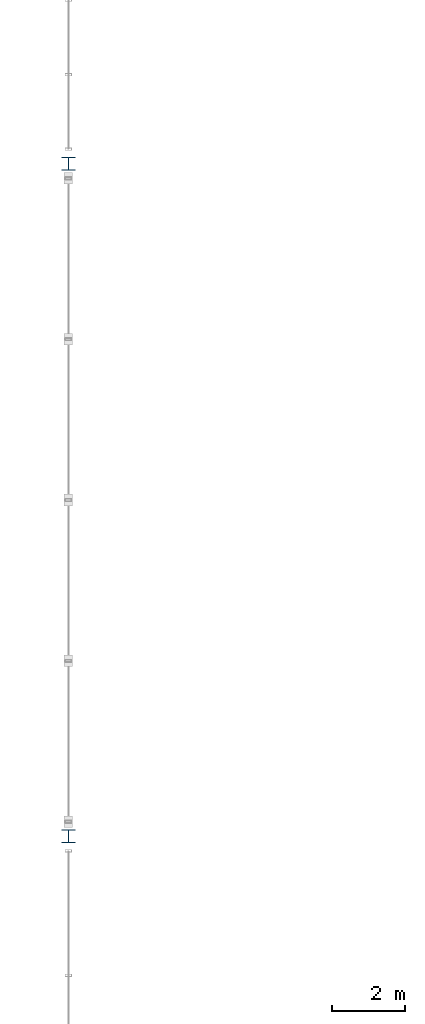
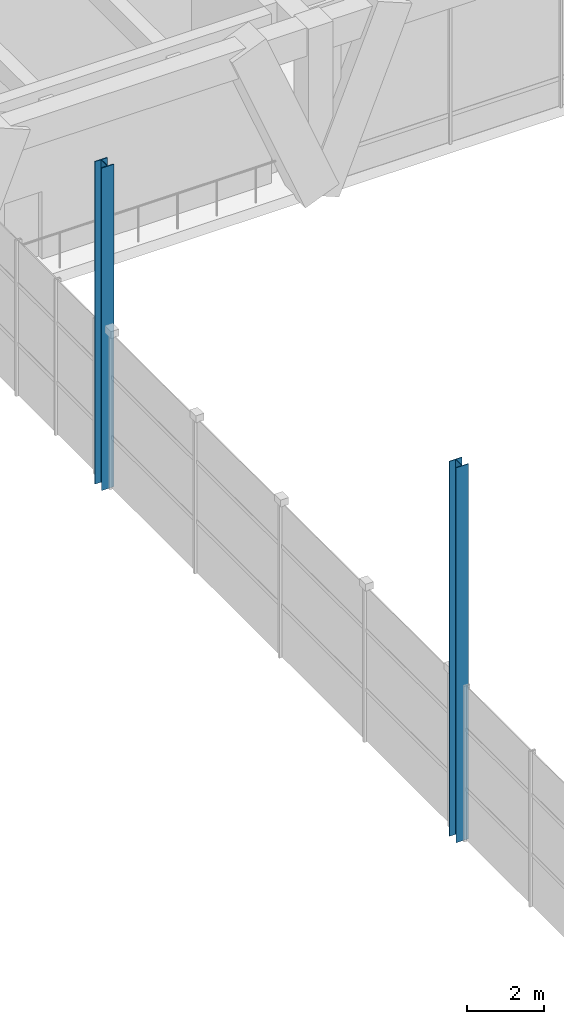
# One storey, part 2 of 148: 2 columns.
"""IFC4 building model written with IfcOpenShell, lengths in metres."""

from ifc_helpers import new_model, si_unit, direction, frame, origin, origin_2d, place, context, subcontext, project, spatial, i_section, extrude, material, material_profile, profile_set, type_object, element, save


model = new_model("IFC4")

# Units and contexts
model_context = context("Model", 3, precision=1e-05, world=origin(), true_north=direction((0.0, 1.0)))
body_context = subcontext(model_context, "Body", "Model", "MODEL_VIEW")
ifc_project = project(units=[si_unit("LENGTHUNIT", "METRE"), si_unit("AREAUNIT", "SQUARE_METRE"), si_unit("VOLUMEUNIT", "CUBIC_METRE"), si_unit("PLANEANGLEUNIT", "RADIAN"), si_unit("MASSUNIT", "GRAM", prefix="KILO")], contexts=[model_context])

# Site, building, storey
site_placement = place(None, origin())
site = spatial("IfcSite", under=ifc_project, at=site_placement, CompositionType="ELEMENT")
building_placement = place(site_placement, origin())
building = spatial("IfcBuilding", under=site, at=building_placement, Name="Ologun Quay Terminus", CompositionType="ELEMENT")
storey_placement = place(building_placement, frame((0.0, 0.0, 8.39990234375)))
storey = spatial("IfcBuildingStorey", under=building, at=storey_placement, Name="L02", CompositionType="ELEMENT", Elevation=8.39990234375)

# Columns
ifc_material = material(Name="Steel S355", Category="steel")
ifc_material_profile = material_profile(ifc_material, i_section(OverallWidth=0.37060546875, OverallDepth=0.362060546875, WebThickness=0.01220703125, FlangeThickness=0.020751953125, at=origin_2d()), Name="UKC 356x368x153")
ifc_profile_set = profile_set([ifc_material_profile], Name="Steel S355")
column_type = type_object("IfcColumnType", Name="Gable Steel Wind Post UKC356", PredefinedType="COLUMN", material=ifc_profile_set)
column_1_placement = place(storey_placement, frame((0.0, 50.5, 0.0), z_axis=(0.0, 0.0, 1.0), x_axis=(1.0, 0.0, 0.0)))
element("IfcColumn", 1, at=column_1_placement, inside=storey, type_object=column_type, Name="C11 Gable Wind Post 1-Y50 L02", PredefinedType="COLUMN", context=body_context, shape_type="SweptSolid", body=[
    extrude(i_section(OverallWidth=0.37060546875, OverallDepth=0.362060546875, WebThickness=0.01220703125, FlangeThickness=0.020751953125, at=origin_2d()), origin(), (0.0, 0.0, 1.0), 11.946533203125),
])
column_2_placement = place(storey_placement, frame((0.0, 69.0, 0.0), z_axis=(0.0, 0.0, 1.0), x_axis=(1.0, 0.0, 0.0)))
element("IfcColumn", 2, at=column_2_placement, inside=storey, type_object=column_type, Name="C11 Gable Wind Post 1-Y69 L02", PredefinedType="COLUMN", context=body_context, shape_type="SweptSolid", body=[
    extrude(i_section(OverallWidth=0.37060546875, OverallDepth=0.362060546875, WebThickness=0.01220703125, FlangeThickness=0.020751953125, at=origin_2d()), origin(), (0.0, 0.0, 1.0), 10.27587890625),
])

save(model, "model.ifc")
